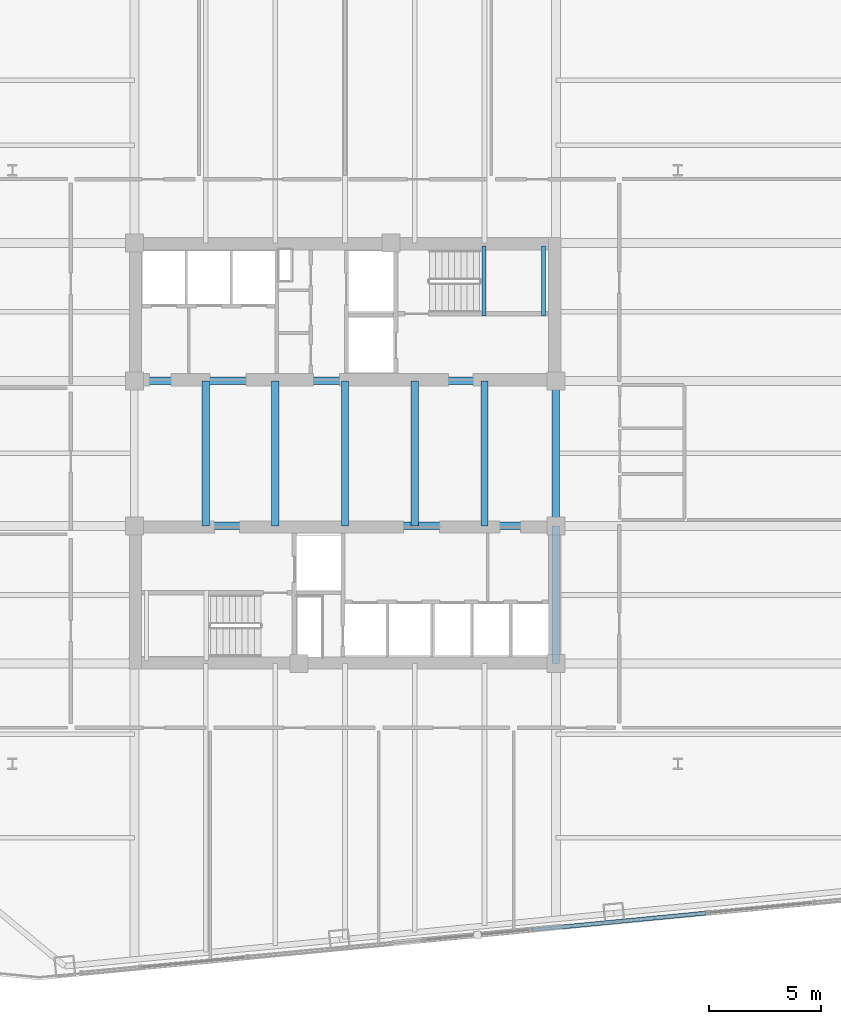
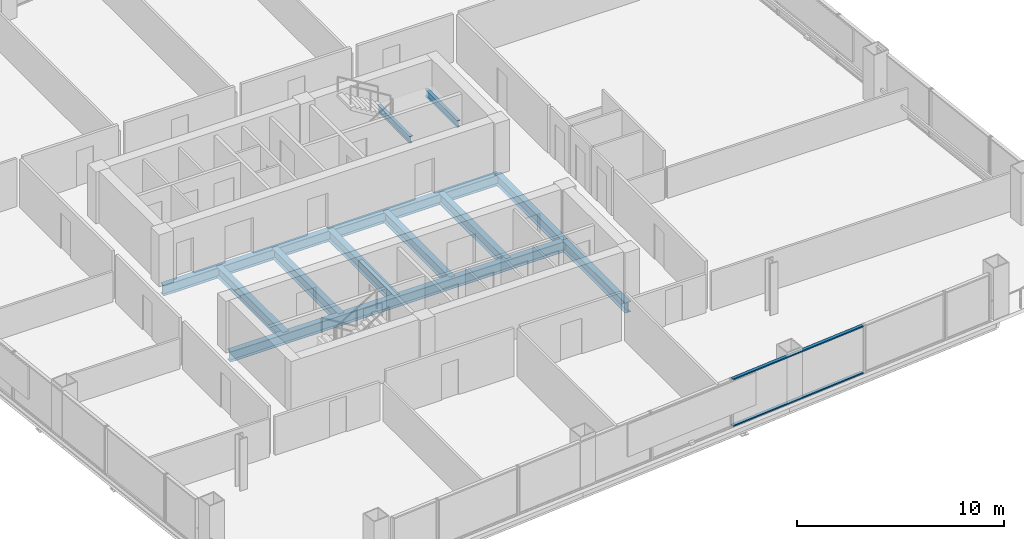
# One storey, part 10 of 32: 11 beams, 2 members, 1 element without a shape of its own.
"""IFC4 building model written with IfcOpenShell, lengths in metres."""

from ifc_helpers import new_model, si_unit, direction, frame, origin, origin_2d, place, context, subcontext, project, spatial, hollow_rectangle, i_section, extrude, material, layer, layer_set, material_profile, profile_set, type_object, element, aggregate, save


model = new_model("IFC4")

# Units and contexts
model_context = context("Model", 3, precision=1e-05, world=origin(), true_north=direction((0.0, 1.0)))
body_context = subcontext(model_context, "Body", "Model", "MODEL_VIEW")
ifc_project = project(units=[si_unit("LENGTHUNIT", "METRE"), si_unit("AREAUNIT", "SQUARE_METRE"), si_unit("VOLUMEUNIT", "CUBIC_METRE"), si_unit("PLANEANGLEUNIT", "RADIAN"), si_unit("MASSUNIT", "GRAM", prefix="KILO")], contexts=[model_context])

# Site, building, storey
site_placement = place(None, origin())
site = spatial("IfcSite", under=ifc_project, at=site_placement, CompositionType="ELEMENT")
building_placement = place(site_placement, origin())
building = spatial("IfcBuilding", under=site, at=building_placement, Name="Qhalaya Broadcast Tower", CompositionType="ELEMENT")
storey_placement = place(building_placement, frame((0.0, 0.0, 87.75)))
storey = spatial("IfcBuildingStorey", under=building, at=storey_placement, Name="L25", CompositionType="ELEMENT", Elevation=87.75)

# Beams
ifc_material_1 = material(Name="Structural Steel ASTM A992 Grade 50", Category="steel")
ifc_material_profile_1 = material_profile(ifc_material_1, i_section(OverallWidth=0.323974609375, OverallDepth=0.612060546875, WebThickness=0.0126953125, FlangeThickness=0.01904296875, at=origin_2d()), Name="W24X104")
ifc_profile_set_1 = profile_set([ifc_material_profile_1], Name="Structural Steel ASTM A992 Grade 50")
beam_type_1 = type_object("IfcBeamType", Name="Core Frame Tie Beam B04", PredefinedType="BEAM", material=ifc_profile_set_1)
for number, where, z_axis, x_axis, name in (
    (1, (-9.375, 3.824951171875, -0.52587890625), (1.0, 0.0, 0.0), (0.0, 1.0, 0.0), "L25 B04 L25-CCN1"),
    (2, (-9.375, -2.625, -0.52587890625), (1.0, 0.0, 0.0), (0.0, 1.0, 0.0), "L25 B04 L25-CCS1"),
):
    element("IfcBeam", number, at=place(storey_placement, frame(where, z_axis=z_axis, x_axis=x_axis)), inside=storey, type_object=beam_type_1, Name=name, PredefinedType="BEAM", context=body_context, shape_type="SweptSolid", body=[
        extrude(i_section(OverallWidth=0.323974609375, OverallDepth=0.612060546875, WebThickness=0.0126953125, FlangeThickness=0.01904296875, at=origin_2d()), origin(), (0.0, 0.0, 1.0), 18.75),
    ])
beam_placement = place(storey_placement, frame((9.375, -8.75, -0.52587890625), z_axis=(0.0, 1.0, 0.0), x_axis=(-1.0, 0.0, 0.0)))
element("IfcBeam", 3, at=beam_placement, inside=storey, type_object=beam_type_1, Name="L25 B04 L25-CCS2", PredefinedType="BEAM", context=body_context, shape_type="SweptSolid", body=[
    extrude(i_section(OverallWidth=0.323974609375, OverallDepth=0.612060546875, WebThickness=0.0126953125, FlangeThickness=0.01904296875, at=origin_2d()), origin(), (0.0, 0.0, 1.0), 6.125),
])
for number, where, z_axis, x_axis, name in (
    (4, (9.375, -2.625, -0.52587890625), (0.0, 1.0, 0.0), (-1.0, 0.0, 0.0), "L25 B04 L25-CCE"),
    (5, (-6.199951171875, -2.625, -0.52587890625), (0.0, 1.0, 0.0), (-1.0, 0.0, 0.0), "L25 B04 L25-JC1-1"),
    (6, (-3.10009765625, -2.625, -0.52587890625), (0.0, 1.0, 0.0), (-1.0, 0.0, 0.0), "L25 B04 L25-JC2-1"),
    (7, (0.0, -2.625, -0.52587890625), (0.0, 1.0, 0.0), (-1.0, 0.0, 0.0), "L25 B04 L25-JC3-1"),
    (8, (3.10009765625, -2.625, -0.52587890625), (0.0, 1.0, 0.0), (-1.0, 0.0, 0.0), "L25 B04 L25-JC4-1"),
    (9, (6.199951171875, -2.625, -0.52587890625), (0.0, 1.0, 0.0), (-1.0, 0.0, 0.0), "L25 B04 L25-JC5-1"),
):
    element("IfcBeam", number, at=place(storey_placement, frame(where, z_axis=z_axis, x_axis=x_axis)), inside=storey, type_object=beam_type_1, Name=name, PredefinedType="BEAM", context=body_context, shape_type="SweptSolid", body=[
        extrude(i_section(OverallWidth=0.323974609375, OverallDepth=0.612060546875, WebThickness=0.0126953125, FlangeThickness=0.01904296875, at=origin_2d()), origin(), (0.0, 0.0, 1.0), 6.449951171875),
    ])

# Curtain wall, members
ifc_material_2 = material(Name="Fired Architectural Terracotta", Category="masonry")
ifc_layer = layer(ifc_material_2, 0.219970703125, Name="Fired Architectural Terracotta")
ifc_layer_set = layer_set([ifc_layer], Name="Fired Architectural Terracotta")
curtain_wall_type = type_object("IfcCurtainWallType", Name="Block-Cap Unitised Terracotta Spandrel Wall CW-07", PredefinedType="NOTDEFINED", material=ifc_layer_set)
curtain_wall_placement = place(storey_placement, origin())
curtain_wall = element("IfcCurtainWall", 10, at=curtain_wall_placement, inside=storey, type_object=curtain_wall_type, Name="L25 Unitised Curtain Wall L25-CW-S5", PredefinedType="NOTDEFINED")
ifc_material_3 = material(Name="Anodised Aluminium 6063-T6", Category="aluminium")
ifc_material_profile_2 = material_profile(ifc_material_3, hollow_rectangle(XDim=0.074951171875, YDim=0.179931640625, WallThickness=0.00390625, at=origin_2d()), Name="ALU-TRN 75x180x4")
ifc_profile_set_2 = profile_set([ifc_material_profile_2], Name="Anodised Aluminium 6063-T6")
member_type = type_object("IfcMemberType", Name="Unitised Curtain-Wall Transom T01", PredefinedType="USERDEFINED", material=ifc_profile_set_2)
member_1_placement = place(storey_placement, frame((8.343017578125, -20.5908203125, 0.03759765625), z_axis=(0.99539629116, 0.095844788822, 0.0), x_axis=(0.0, 0.0, 1.0)))
member_1 = element("IfcMember", 11, at=member_1_placement, type_object=member_type, Name="CW-07 transom 1.1", ObjectType="TRANSOM", PredefinedType="USERDEFINED", context=body_context, shape_type="SweptSolid", body=[
    extrude(hollow_rectangle(XDim=0.074951171875, YDim=0.179931640625, WallThickness=0.00390625, at=origin_2d()), origin(), (0.0, 0.0, 1.0), 7.73095703125),
])
member_2_placement = place(storey_placement, frame((8.343017578125, -20.5908203125, 2.79248046875), z_axis=(0.99539629116, 0.095844788822, 0.0), x_axis=(0.0, 0.0, 1.0)))
member_2 = element("IfcMember", 12, at=member_2_placement, type_object=member_type, Name="CW-07 transom 1.2", ObjectType="TRANSOM", PredefinedType="USERDEFINED", context=body_context, shape_type="SweptSolid", body=[
    extrude(hollow_rectangle(XDim=0.074951171875, YDim=0.179931640625, WallThickness=0.00390625, at=origin_2d()), origin(), (0.0, 0.0, 1.0), 7.73095703125),
])
aggregate(curtain_wall, [member_1, member_2])

# Beams
ifc_material_profile_3 = material_profile(ifc_material_1, i_section(OverallWidth=0.177978515625, OverallDepth=0.406005859375, WebThickness=0.0078125, FlangeThickness=0.0126953125, at=origin_2d()), Name="W16X40")
ifc_profile_set_3 = profile_set([ifc_material_profile_3], Name="Structural Steel ASTM A992 Grade 50")
beam_type_2 = type_object("IfcBeamType", Name="Upper Perimeter Spandrel Beam SP2", PredefinedType="SPANDREL", material=ifc_profile_set_3)
for number, where, z_axis, x_axis, name in (
    (13, (6.175048828125, 6.699951171875, 1.1220703125), (0.0, 1.0, 0.0), (-1.0, 0.0, 0.0), "L25 ST-1 Half-Landing Bearer Beam 1"),
    (14, (8.830078125, 6.699951171875, 1.1220703125), (0.0, 1.0, 0.0), (-1.0, 0.0, 0.0), "L25 ST-1 Half-Landing Bearer Beam 2"),
):
    element("IfcBeam", number, at=place(storey_placement, frame(where, z_axis=z_axis, x_axis=x_axis)), inside=storey, type_object=beam_type_2, Name=name, PredefinedType="SPANDREL", context=body_context, shape_type="SweptSolid", body=[
        extrude(i_section(OverallWidth=0.177978515625, OverallDepth=0.406005859375, WebThickness=0.0078125, FlangeThickness=0.0126953125, at=origin_2d()), origin(), (0.0, 0.0, 1.0), 3.1201171875),
    ])

save(model, "model.ifc")
